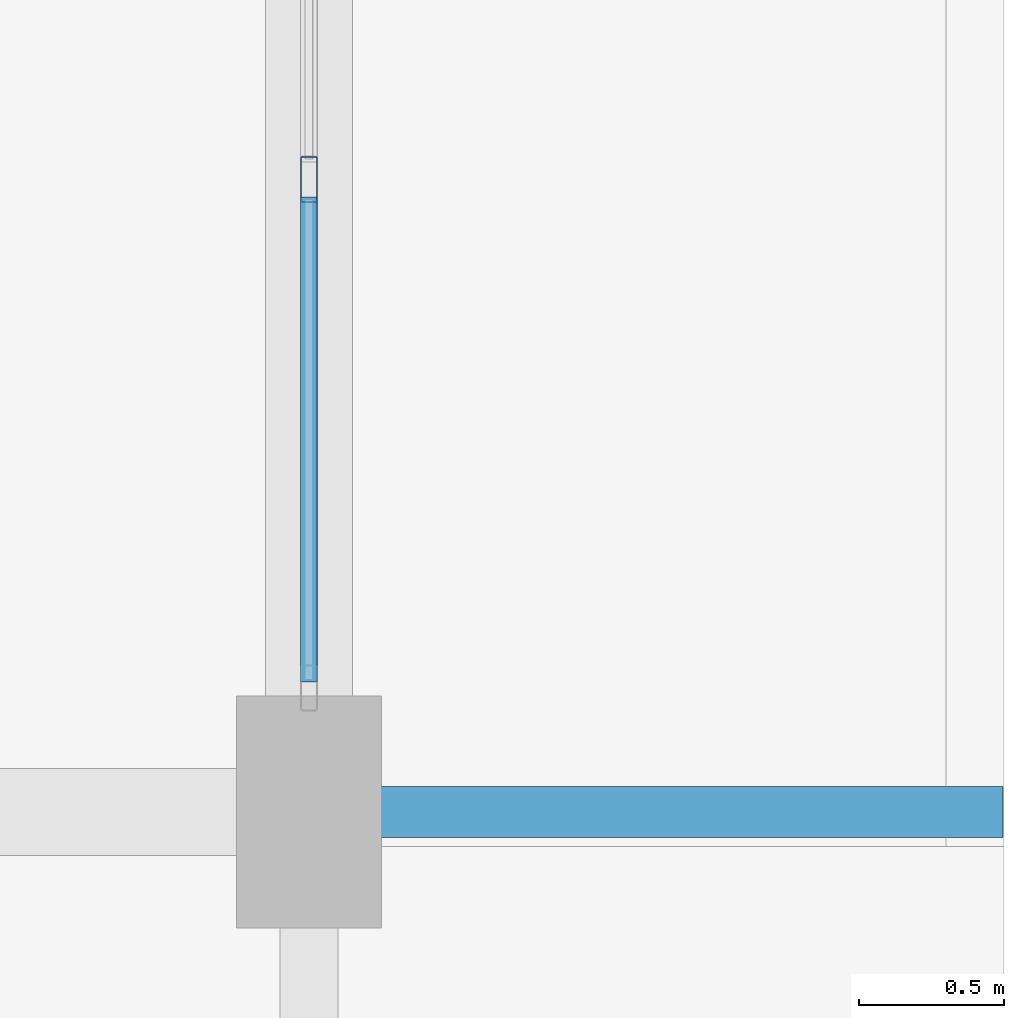
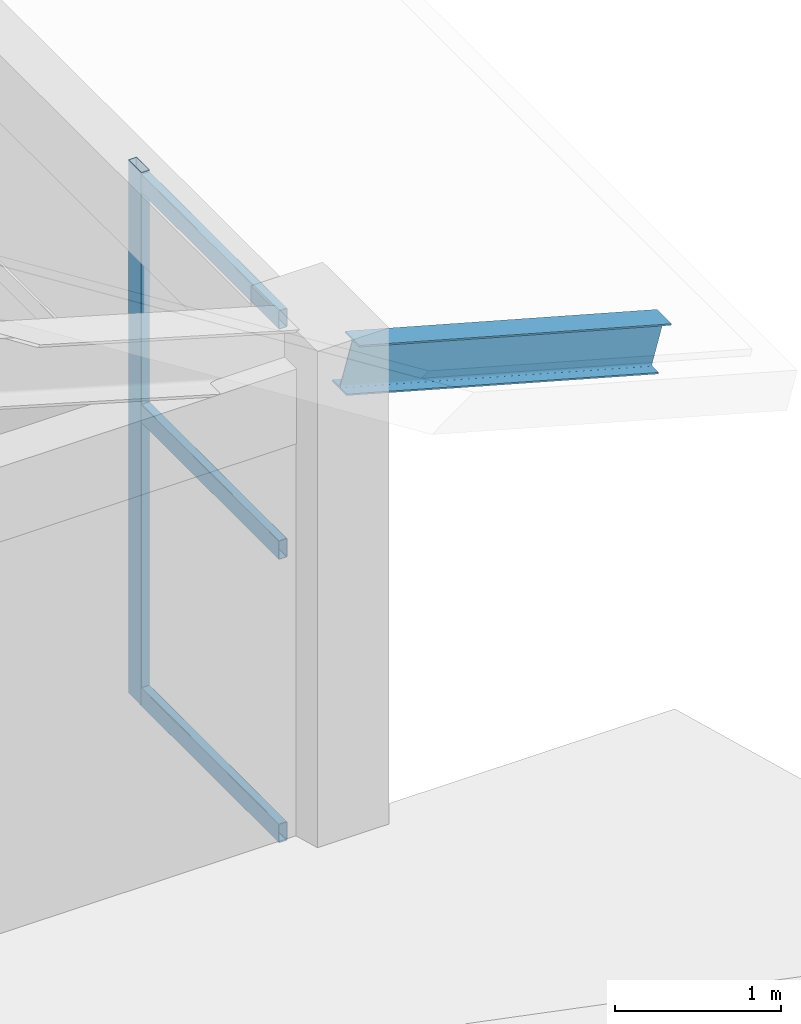
# One storey, part 29 of 58: 4 members, 1 beam, 1 element without a shape of its own.
"""IFC4 building model written with IfcOpenShell, lengths in metres."""

import ifcopenshell
import ifcopenshell.guid

model = None  # the IFC model being written
_history = None  # IfcOwnerHistory: only IFC2X3 demands one
_inside = {}  # id of a spatial element -> (the spatial element, [elements in it])
_under = {}  # id of a project, library or spatial element -> (it, [spatial elements below it])
_declared = {}  # id of a project -> (the project, [libraries it declares])
_typed = {}  # id of a type object -> (the type object, [elements of that type])
_made_of = {}  # id of a material, layer set ... -> (it, [elements and type objects made of it])


def new_model(schema):
    """Start an empty IFC model of exactly this schema.

    Asked for "IFC4X3", IfcOpenShell would pick the latest addendum, in which some entities
    have other attributes; the version numbers below select the first issue.
    IFC2X3 requires an IfcOwnerHistory on every rooted entity: one is made here for all.
    """
    global model, _history
    if schema == "IFC4X3":
        model = ifcopenshell.file(schema_version=(4, 3, 0, 0))
    else:
        model = ifcopenshell.file(schema=schema)
    _inside.clear()
    _under.clear()
    _declared.clear()
    _typed.clear()
    _made_of.clear()
    _history = None
    if model.schema == "IFC2X3":
        org = make("IfcOrganization", Name="unknown")
        user = make(
            "IfcPersonAndOrganization",
            ThePerson=make("IfcPerson", FamilyName="unknown"),
            TheOrganization=org,
        )
        app = make(
            "IfcApplication",
            ApplicationDeveloper=org,
            Version="unknown",
            ApplicationFullName="unknown",
            ApplicationIdentifier="unknown",
        )
        _history = make(
            "IfcOwnerHistory",
            OwningUser=user,
            OwningApplication=app,
            ChangeAction="ADDED",
            CreationDate=0,
        )
    return model


def make(cls, **values):
    """One entity of the class cls with the attributes given. An attribute that is None is left unset."""
    return model.create_entity(
        cls, **{name: value for name, value in values.items() if value is not None}
    )


def rooted(cls, **values):
    """An entity with a GlobalId (a new one), such as an element, a storey or a relation."""
    return make(cls, GlobalId=ifcopenshell.guid.new(), OwnerHistory=_history, **values)


def si_unit(unit_type, name, prefix=None):
    """IfcSIUnit, for example si_unit("LENGTHUNIT", "METRE", prefix="MILLI")."""
    return make("IfcSIUnit", UnitType=unit_type, Prefix=prefix, Name=name)


def derived_unit(unit_type, elements):
    """IfcDerivedUnit: a product of units, each with its exponent."""
    return make(
        "IfcDerivedUnit",
        Elements=[
            make("IfcDerivedUnitElement", Unit=unit, Exponent=power)
            for unit, power in elements
        ],
        UnitType=unit_type,
    )


def assignment(units):
    """IfcUnitAssignment: the units of a project."""
    return None if units is None else make("IfcUnitAssignment", Units=units)


def point(xyz):
    """IfcCartesianPoint."""
    return None if xyz is None else make("IfcCartesianPoint", Coordinates=xyz)


def direction(xyz):
    """IfcDirection."""
    return None if xyz is None else make("IfcDirection", DirectionRatios=xyz)


def frame(location, z_axis=None, x_axis=None):
    """IfcAxis2Placement3D, a coordinate frame: its origin and axes. An axis left out is left unset."""
    return make(
        "IfcAxis2Placement3D",
        Location=point(location),
        Axis=direction(z_axis),
        RefDirection=direction(x_axis),
    )


def frame_2d(location, x_axis=None):
    """IfcAxis2Placement2D, a coordinate frame in the plane: its origin and x axis."""
    return make(
        "IfcAxis2Placement2D", Location=point(location), RefDirection=direction(x_axis)
    )


def origin():
    """The frame at (0, 0, 0) with its axes left unset."""
    return frame((0.0, 0.0, 0.0))


def origin_2d():
    """The frame at (0, 0) in the plane with its x axis left unset."""
    return frame_2d((0.0, 0.0))


def place(relative_to, where):
    """IfcLocalPlacement: puts the frame where relative to a parent placement (None: the world)."""
    return make(
        "IfcLocalPlacement", PlacementRelTo=relative_to, RelativePlacement=where
    )


def context(
    kind, dimensions, precision=None, world=None, true_north=None, identifier=None
):
    """IfcGeometricRepresentationContext, for example the 3D "Model" context."""
    return make(
        "IfcGeometricRepresentationContext",
        ContextIdentifier=identifier,
        ContextType=kind,
        CoordinateSpaceDimension=dimensions,
        Precision=precision,
        WorldCoordinateSystem=world,
        TrueNorth=true_north,
    )


def subcontext(parent, identifier, kind, view, scale=None):
    """IfcGeometricRepresentationSubContext, for example "Body" below "Model"."""
    return make(
        "IfcGeometricRepresentationSubContext",
        ContextIdentifier=identifier,
        ContextType=kind,
        ParentContext=parent,
        TargetScale=scale,
        TargetView=view,
    )


def project(units=None, contexts=None):
    """IfcProject with its units and contexts."""
    return rooted(
        "IfcProject",
        Name="project",
        RepresentationContexts=contexts,
        UnitsInContext=assignment(units),
    )


def spatial(cls, under=None, at=None, **own):
    """A site, building, storey or space (cls), placed at a placement, below another one or the project."""
    s = rooted(cls, ObjectPlacement=at, **own)
    if under is not None:
        _under.setdefault(under.id(), (under, []))[1].append(s)
    return s


def profile(cls, at=None, kind="AREA", **sizes):
    """A parametric profile (cls). Its sizes go by their IFC names, for example OverallWidth=200.0."""
    return make(cls, ProfileType=kind, Position=at, **sizes)


def hollow_rectangle(**sizes):
    """IfcRectangleHollowProfileDef."""
    return profile("IfcRectangleHollowProfileDef", **sizes)


def i_section(**sizes):
    """IfcIShapeProfileDef."""
    return profile("IfcIShapeProfileDef", **sizes)


def extrude(swept, where, along, depth):
    """IfcExtrudedAreaSolid: the profile swept, set in the frame where, extruded along a direction by depth."""
    return make(
        "IfcExtrudedAreaSolid",
        SweptArea=swept,
        Position=where,
        ExtrudedDirection=direction(along),
        Depth=depth,
    )


def shape(context_of_items, identifier, shape_type, items):
    """IfcShapeRepresentation: the items that make up one representation, for example the "Body"."""
    return make(
        "IfcShapeRepresentation",
        ContextOfItems=context_of_items,
        RepresentationIdentifier=identifier,
        RepresentationType=shape_type,
        Items=items,
    )


def material(Name=None, Category=None):
    """IfcMaterial."""
    return make("IfcMaterial", Name=Name, Category=Category)


def material_profile(
    of_material, cross_section, Name=None, Category=None, Priority=None
):
    """IfcMaterialProfile: a cross section and its material."""
    return make(
        "IfcMaterialProfile",
        Name=Name,
        Material=of_material,
        Profile=cross_section,
        Priority=Priority,
        Category=Category,
    )


def profile_set(profiles, Name=None, composite=None):
    """IfcMaterialProfileSet."""
    return make(
        "IfcMaterialProfileSet",
        Name=Name,
        MaterialProfiles=profiles,
        CompositeProfile=composite,
    )


def made_of(thing, what):
    """Note that an element or type object is made of a material, layer set ...; save() writes the relation."""
    if what is not None:
        _made_of.setdefault(what.id(), (what, []))[1].append(thing)
    return thing


def type_object(cls, material=None, **own):
    """A type object (cls), such as IfcWallType, which elements share."""
    return made_of(rooted(cls, **own), material)


def element(
    cls,
    number,
    at=None,
    inside=None,
    cuts=None,
    type_object=None,
    material=None,
    context=None,
    identifier="Body",
    shape_type=None,
    held_by="IfcProductDefinitionShape",
    body=None,
    shapes=None,
    **own,
):
    """One element of the class cls, such as IfcWall. Its Tag is "e" and its number.

    at: its placement. inside: the storey or other place that contains it. cuts: it is an
    opening in that element (IfcRelVoidsElement). A single representation is given by context,
    identifier, shape_type and body (its items); several are given by shapes. held_by: the class
    of the entity that holds the representations. save() writes the other relations.
    """
    e = rooted(cls, Tag="e%d" % number, ObjectPlacement=at, **own)
    if body is not None:
        shapes = [shape(context, identifier, shape_type, body)]
    if shapes is not None:
        e.Representation = make(held_by, Representations=shapes)
    if inside is not None:
        _inside.setdefault(inside.id(), (inside, []))[1].append(e)
    if cuts is not None:
        rooted(
            "IfcRelVoidsElement", RelatingBuildingElement=cuts, RelatedOpeningElement=e
        )
    if type_object is not None:
        _typed.setdefault(type_object.id(), (type_object, []))[1].append(e)
    return made_of(e, material)


def aggregate(whole, parts):
    """IfcRelAggregates: a whole, such as a stair, and the parts it consists of."""
    return rooted("IfcRelAggregates", RelatingObject=whole, RelatedObjects=parts)


def save(model, path):
    """Write the relations noted so far, then the file.

    IfcRelAggregates (storeys below a building ...), IfcRelContainedInSpatialStructure (elements
    in a storey), IfcRelDefinesByType, IfcRelAssociatesMaterial and IfcRelDeclares: one each for
    every whole, place, type object, material and project.
    """
    for whole, parts in _under.values():
        aggregate(whole, parts)
    for where, things in _inside.values():
        rooted(
            "IfcRelContainedInSpatialStructure",
            RelatedElements=things,
            RelatingStructure=where,
        )
    for kind, things in _typed.values():
        rooted("IfcRelDefinesByType", RelatedObjects=things, RelatingType=kind)
    for what, things in _made_of.values():
        rooted("IfcRelAssociatesMaterial", RelatedObjects=things, RelatingMaterial=what)
    for by, libraries in _declared.values():
        rooted("IfcRelDeclares", RelatingContext=by, RelatedDefinitions=libraries)
    model.write(path)


model = new_model("IFC4")

# Units and contexts
model_context = context("Model", 3, precision=1e-05, world=origin(), true_north=direction((0.0, 1.0)))
body_context = subcontext(model_context, "Body", "Model", "MODEL_VIEW")
ifc_project = project(units=[si_unit("LENGTHUNIT", "METRE"), si_unit("AREAUNIT", "SQUARE_METRE"), si_unit("VOLUMEUNIT", "CUBIC_METRE"), si_unit("PLANEANGLEUNIT", "RADIAN"), si_unit("MASSUNIT", "GRAM", prefix="KILO"), derived_unit("THERMALTRANSMITTANCEUNIT", [(si_unit("MASSUNIT", "GRAM", prefix="KILO"), 1), (si_unit("TIMEUNIT", "SECOND"), -3), (si_unit("THERMODYNAMICTEMPERATUREUNIT", "KELVIN"), -1)])], contexts=[model_context])

# Site, building, storey
site_placement = place(None, origin())
site = spatial("IfcSite", under=ifc_project, at=site_placement, CompositionType="ELEMENT")
building_placement = place(site_placement, origin())
building = spatial("IfcBuilding", under=site, at=building_placement, Name="Zhenchuan Archway Interchange", CompositionType="ELEMENT")
storey_placement = place(building_placement, frame((0.0, 0.0, 22.800048828125)))
storey = spatial("IfcBuildingStorey", under=building, at=storey_placement, Name="L05", CompositionType="ELEMENT", Elevation=22.800048828125)

# Beam
ifc_material_1 = material(Name="Steel Q355", Category="steel")
ifc_material_profile_1 = material_profile(ifc_material_1, i_section(OverallWidth=0.175048828125, OverallDepth=0.35009765625, WebThickness=0.007080078125, FlangeThickness=0.010986328125, FilletRadius=0.013916015625, at=origin_2d()), Name="HN 350x175")
ifc_profile_set_1 = profile_set([ifc_material_profile_1], Name="Steel Q355")
beam_type = type_object("IfcBeamType", Name="BM_STL_EAVE_HN350", PredefinedType="BEAM", material=ifc_profile_set_1)
beam_placement = place(storey_placement, frame((171.179931640625, 24.0, 3.719970703125), z_axis=(0.963829493521, 0.0, -0.266519619201), x_axis=(0.0, 1.0, 0.0)))
element("IfcBeam", 1, at=beam_placement, inside=storey, type_object=beam_type, Name="Command wing east storm-eave bracket T1", PredefinedType="BEAM", context=body_context, shape_type="SweptSolid", body=[
    extrude(i_section(OverallWidth=0.175048828125, OverallDepth=0.35009765625, WebThickness=0.007080078125, FlangeThickness=0.010986328125, FilletRadius=0.013916015625, at=origin_2d()), origin(), (0.0, 0.0, 1.0), 2.251708984375),
])

# Curtain wall, members
ifc_material_2 = material(Name="Anodised Aluminium", Category="aluminium")
curtain_wall_type = type_object("IfcCurtainWallType", Name="CW_UNIT_1", PredefinedType="NOTDEFINED", material=ifc_material_2)
curtain_wall_placement = place(storey_placement, origin())
curtain_wall = element("IfcCurtainWall", 2, at=curtain_wall_placement, inside=storey, type_object=curtain_wall_type, Name="Unitised curtain wall CW:L05:208", PredefinedType="NOTDEFINED")
ifc_material_profile_2 = material_profile(ifc_material_2, hollow_rectangle(XDim=0.06005859375, YDim=0.159912109375, WallThickness=0.00390625, InnerFilletRadius=0.00390625, OuterFilletRadius=0.008056640625, at=origin_2d()), Name="ALU 160x60x4")
ifc_profile_set_2 = profile_set([ifc_material_profile_2], Name="Anodised Aluminium")
member_type_1 = type_object("IfcMemberType", Name="CW_MUL_150", PredefinedType="MULLION", material=ifc_profile_set_2)
member_1_placement = place(storey_placement, frame((171.0, 26.18408203125, 0.0), z_axis=(0.0, 0.0, 1.0), x_axis=(1.0, 0.0, 0.0)))
member_1 = element("IfcMember", 3, at=member_1_placement, type_object=member_type_1, Name="CW:L05:208 mullion 3", PredefinedType="MULLION", context=body_context, shape_type="SweptSolid", body=[
    extrude(hollow_rectangle(XDim=0.06005859375, YDim=0.159912109375, WallThickness=0.00390625, InnerFilletRadius=0.00390625, OuterFilletRadius=0.008056640625, at=origin_2d()), origin(), (0.0, 0.0, 1.0), 3.919921875),
])
ifc_material_profile_3 = material_profile(ifc_material_2, hollow_rectangle(XDim=0.06005859375, YDim=0.139892578125, WallThickness=0.00341796875, InnerFilletRadius=0.00341796875, OuterFilletRadius=0.007080078125, at=origin_2d()), Name="ALU 140x60x3.5")
ifc_profile_set_3 = profile_set([ifc_material_profile_3], Name="Anodised Aluminium")
member_type_2 = type_object("IfcMemberType", Name="CW_TRN_140", PredefinedType="USERDEFINED", material=ifc_profile_set_3)
member_2_placement = place(storey_placement, frame((171.0, 26.1240234375, 0.06005859375), z_axis=(0.0, -1.0, 0.0), x_axis=(1.0, 0.0, 0.0)))
member_2 = element("IfcMember", 4, at=member_2_placement, type_object=member_type_2, Name="CW:L05:208 transom 3-1", ObjectType="TRANSOM", PredefinedType="USERDEFINED", context=body_context, shape_type="SweptSolid", body=[
    extrude(hollow_rectangle(XDim=0.06005859375, YDim=0.139892578125, WallThickness=0.00341796875, InnerFilletRadius=0.00341796875, OuterFilletRadius=0.007080078125, at=origin_2d()), origin(), (0.0, 0.0, 1.0), 1.676025390625),
])
member_3_placement = place(storey_placement, frame((171.0, 26.1240234375, 2.14501953125), z_axis=(0.0, -1.0, 0.0), x_axis=(1.0, 0.0, 0.0)))
member_3 = element("IfcMember", 5, at=member_3_placement, type_object=member_type_2, Name="CW:L05:208 transom 3-2", ObjectType="TRANSOM", PredefinedType="USERDEFINED", context=body_context, shape_type="SweptSolid", body=[
    extrude(hollow_rectangle(XDim=0.06005859375, YDim=0.139892578125, WallThickness=0.00341796875, InnerFilletRadius=0.00341796875, OuterFilletRadius=0.007080078125, at=origin_2d()), origin(), (0.0, 0.0, 1.0), 1.676025390625),
])
member_4_placement = place(storey_placement, frame((171.0, 26.1240234375, 3.83984375), z_axis=(0.0, -1.0, 0.0), x_axis=(1.0, 0.0, 0.0)))
member_4 = element("IfcMember", 6, at=member_4_placement, type_object=member_type_2, Name="CW:L05:208 transom 3-3", ObjectType="TRANSOM", PredefinedType="USERDEFINED", context=body_context, shape_type="SweptSolid", body=[
    extrude(hollow_rectangle(XDim=0.06005859375, YDim=0.139892578125, WallThickness=0.00341796875, InnerFilletRadius=0.00341796875, OuterFilletRadius=0.007080078125, at=origin_2d()), origin(), (0.0, 0.0, 1.0), 1.676025390625),
])
aggregate(curtain_wall, [member_1, member_2, member_3, member_4])

save(model, "model.ifc")
